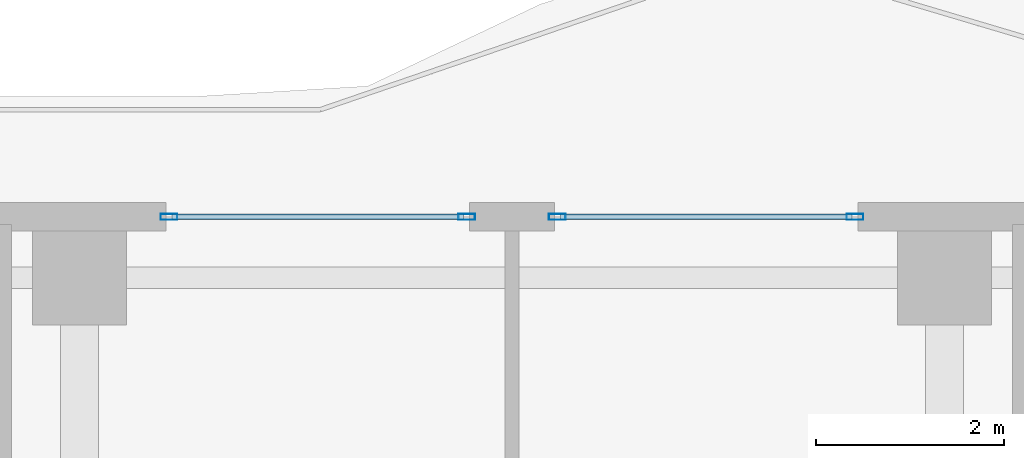
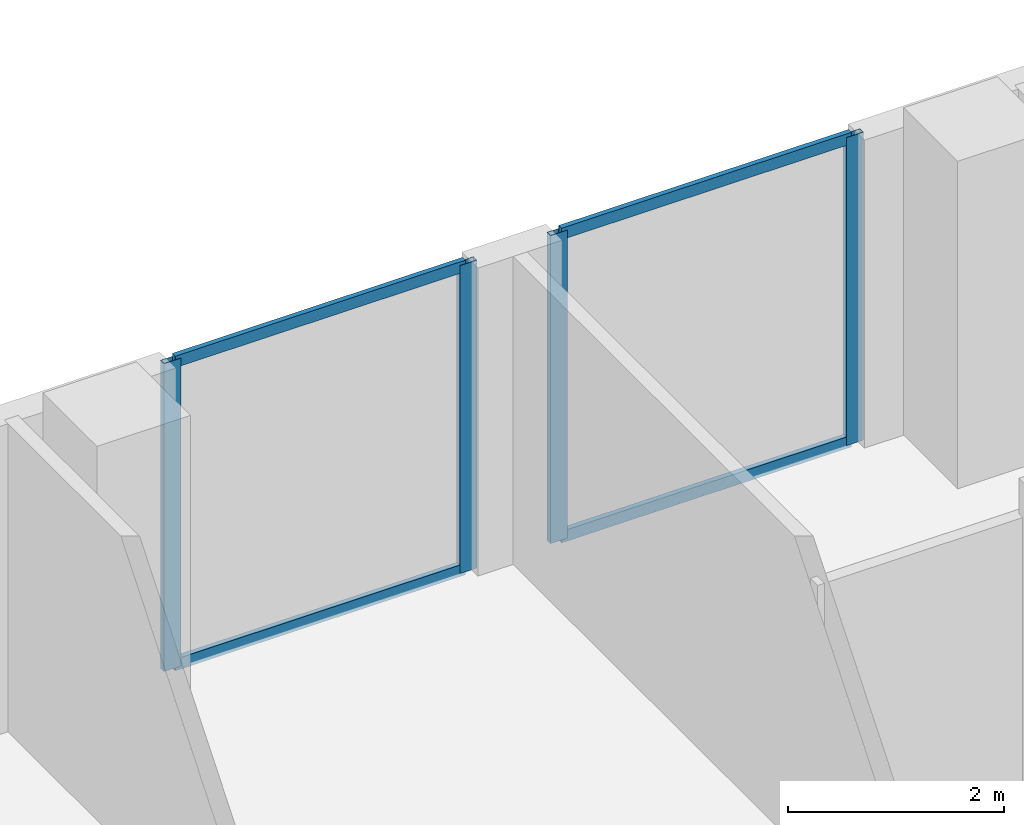
# One storey, part 14 of 23: 8 members, 2 elements without a shape of their own.
"""IFC4 building model written with IfcOpenShell, lengths in metres."""

from ifc_helpers import new_model, si_unit, direction, frame, origin, origin_2d, place, context, subcontext, project, spatial, hollow_rectangle, extrude, material, layer, layer_set, material_profile, profile_set, type_object, element, aggregate, save


model = new_model("IFC4")

# Units and contexts
model_context = context("Model", 3, precision=1e-05, world=origin(), true_north=direction((0.0, 1.0)))
body_context = subcontext(model_context, "Body", "Model", "MODEL_VIEW")
ifc_project = project(units=[si_unit("LENGTHUNIT", "METRE"), si_unit("AREAUNIT", "SQUARE_METRE"), si_unit("VOLUMEUNIT", "CUBIC_METRE"), si_unit("PLANEANGLEUNIT", "RADIAN"), si_unit("MASSUNIT", "GRAM", prefix="KILO")], contexts=[model_context])

# Site, building, storey
site_placement = place(None, origin())
site = spatial("IfcSite", under=ifc_project, at=site_placement, CompositionType="ELEMENT")
building_placement = place(site_placement, origin())
building = spatial("IfcBuilding", under=site, at=building_placement, Name="Zuhayl Quay Hotel", CompositionType="ELEMENT")
storey_placement = place(building_placement, frame((0.0, 0.0, 272.949951171875)))
storey = spatial("IfcBuildingStorey", under=building, at=storey_placement, Name="L69", CompositionType="ELEMENT", Elevation=272.949951171875)

# Curtain wall, members
ifc_material_1 = material(Name="Anodised Aluminium 6063-T6", Category="aluminium")
ifc_layer = layer(ifc_material_1, 0.169921875, Name="Anodised Aluminium 6063-T6", Category="aluminium")
ifc_layer_set = layer_set([ifc_layer], Name="Anodised Aluminium 6063-T6")
curtain_wall_type = type_object("IfcCurtainWallType", Name="CW_SYS_Z4", PredefinedType="USERDEFINED", material=ifc_layer_set)
curtain_wall_1_placement = place(storey_placement, origin())
curtain_wall_1 = element("IfcCurtainWall", 1, at=curtain_wall_1_placement, inside=storey, type_object=curtain_wall_type, Name="L69 Curtain Wall ENV_L69_N_CW1", ObjectType="UNITISED CURTAIN WALL", PredefinedType="USERDEFINED")
ifc_material_2 = material(Name="Black-anodised aluminium 6063-T6", Category="aluminium")
ifc_material_profile_1 = material_profile(ifc_material_2, hollow_rectangle(XDim=0.06494140625, YDim=0.179931640625, WallThickness=0.00341796875, at=origin_2d()), Name="ALU180X65")
ifc_profile_set_1 = profile_set([ifc_material_profile_1], Name="Black-anodised aluminium 6063-T6")
member_type_1 = type_object("IfcMemberType", Name="MB_CW_MUL_180", PredefinedType="MULLION", material=ifc_profile_set_1)
member_1_placement = place(storey_placement, frame((-3.6474609375, 39.0, 0.0), z_axis=(0.0, 0.0, 1.0), x_axis=(0.0, 1.0, 0.0)))
member_1 = element("IfcMember", 2, at=member_1_placement, type_object=member_type_1, Name="CW-Z4 mullion 1", PredefinedType="MULLION", context=body_context, shape_type="SweptSolid", body=[
    extrude(hollow_rectangle(XDim=0.06494140625, YDim=0.179931640625, WallThickness=0.00341796875, at=origin_2d()), origin(), (0.0, 0.0, 1.0), 3.47998046875),
])
member_2_placement = place(storey_placement, frame((-0.482421875, 39.0, 0.0), z_axis=(0.0, 0.0, 1.0), x_axis=(0.0, 1.0, 0.0)))
member_2 = element("IfcMember", 3, at=member_2_placement, type_object=member_type_1, Name="CW-Z4 mullion 2", PredefinedType="MULLION", context=body_context, shape_type="SweptSolid", body=[
    extrude(hollow_rectangle(XDim=0.06494140625, YDim=0.179931640625, WallThickness=0.00341796875, at=origin_2d()), origin(), (0.0, 0.0, 1.0), 3.47998046875),
])

curtain_wall_2_placement = place(storey_placement, origin())
curtain_wall_2 = element("IfcCurtainWall", 4, at=curtain_wall_2_placement, inside=storey, type_object=curtain_wall_type, Name="L69 Curtain Wall ENV_L69_N_CW2", ObjectType="UNITISED CURTAIN WALL", PredefinedType="USERDEFINED")
member_3_placement = place(storey_placement, frame((0.482421875, 39.0, 0.0), z_axis=(0.0, 0.0, 1.0), x_axis=(0.0, 1.0, 0.0)))
member_3 = element("IfcMember", 5, at=member_3_placement, type_object=member_type_1, Name="CW-Z4 mullion 1", PredefinedType="MULLION", context=body_context, shape_type="SweptSolid", body=[
    extrude(hollow_rectangle(XDim=0.06494140625, YDim=0.179931640625, WallThickness=0.00341796875, at=origin_2d()), origin(), (0.0, 0.0, 1.0), 3.47998046875),
])
member_4_placement = place(storey_placement, frame((3.6474609375, 39.0, 0.0), z_axis=(0.0, 0.0, 1.0), x_axis=(0.0, 1.0, 0.0)))
member_4 = element("IfcMember", 6, at=member_4_placement, type_object=member_type_1, Name="CW-Z4 mullion 2", PredefinedType="MULLION", context=body_context, shape_type="SweptSolid", body=[
    extrude(hollow_rectangle(XDim=0.06494140625, YDim=0.179931640625, WallThickness=0.00341796875, at=origin_2d()), origin(), (0.0, 0.0, 1.0), 3.47998046875),
])

# Member
ifc_material_profile_2 = material_profile(ifc_material_2, hollow_rectangle(XDim=0.054931640625, YDim=0.1298828125, WallThickness=0.0029296875, at=origin_2d()), Name="ALU130X55")
ifc_profile_set_2 = profile_set([ifc_material_profile_2], Name="Black-anodised aluminium 6063-T6")
member_type_2 = type_object("IfcMemberType", Name="MB_CW_TRN_130", PredefinedType="USERDEFINED", material=ifc_profile_set_2)
member_5_placement = place(storey_placement, frame((-3.614990234375, 39.0, 0.027587890625), z_axis=(1.0, 0.0, 0.0), x_axis=(0.0, 1.0, 0.0)))
member_5 = element("IfcMember", 7, at=member_5_placement, type_object=member_type_2, Name="CW-Z4 transom 1.1", ObjectType="TRANSOM", PredefinedType="USERDEFINED", context=body_context, shape_type="SweptSolid", body=[
    extrude(hollow_rectangle(XDim=0.054931640625, YDim=0.1298828125, WallThickness=0.0029296875, at=origin_2d()), origin(), (0.0, 0.0, 1.0), 3.10009765625),
])

member_6_placement = place(storey_placement, frame((-3.614990234375, 39.0, 3.45263671875), z_axis=(1.0, 0.0, 0.0), x_axis=(0.0, 1.0, 0.0)))
member_6 = element("IfcMember", 8, at=member_6_placement, type_object=member_type_2, Name="CW-Z4 transom 1.2", ObjectType="TRANSOM", PredefinedType="USERDEFINED", context=body_context, shape_type="SweptSolid", body=[
    extrude(hollow_rectangle(XDim=0.054931640625, YDim=0.1298828125, WallThickness=0.0029296875, at=origin_2d()), origin(), (0.0, 0.0, 1.0), 3.10009765625),
])

aggregate(curtain_wall_1, [member_1, member_2, member_5, member_6])

member_7_placement = place(storey_placement, frame((0.514892578125, 39.0, 0.027587890625), z_axis=(1.0, 0.0, 0.0), x_axis=(0.0, 1.0, 0.0)))
member_7 = element("IfcMember", 9, at=member_7_placement, type_object=member_type_2, Name="CW-Z4 transom 1.1", ObjectType="TRANSOM", PredefinedType="USERDEFINED", context=body_context, shape_type="SweptSolid", body=[
    extrude(hollow_rectangle(XDim=0.054931640625, YDim=0.1298828125, WallThickness=0.0029296875, at=origin_2d()), origin(), (0.0, 0.0, 1.0), 3.10009765625),
])

member_8_placement = place(storey_placement, frame((0.514892578125, 39.0, 3.45263671875), z_axis=(1.0, 0.0, 0.0), x_axis=(0.0, 1.0, 0.0)))
member_8 = element("IfcMember", 10, at=member_8_placement, type_object=member_type_2, Name="CW-Z4 transom 1.2", ObjectType="TRANSOM", PredefinedType="USERDEFINED", context=body_context, shape_type="SweptSolid", body=[
    extrude(hollow_rectangle(XDim=0.054931640625, YDim=0.1298828125, WallThickness=0.0029296875, at=origin_2d()), origin(), (0.0, 0.0, 1.0), 3.10009765625),
])

aggregate(curtain_wall_2, [member_3, member_4, member_7, member_8])

save(model, "model.ifc")
